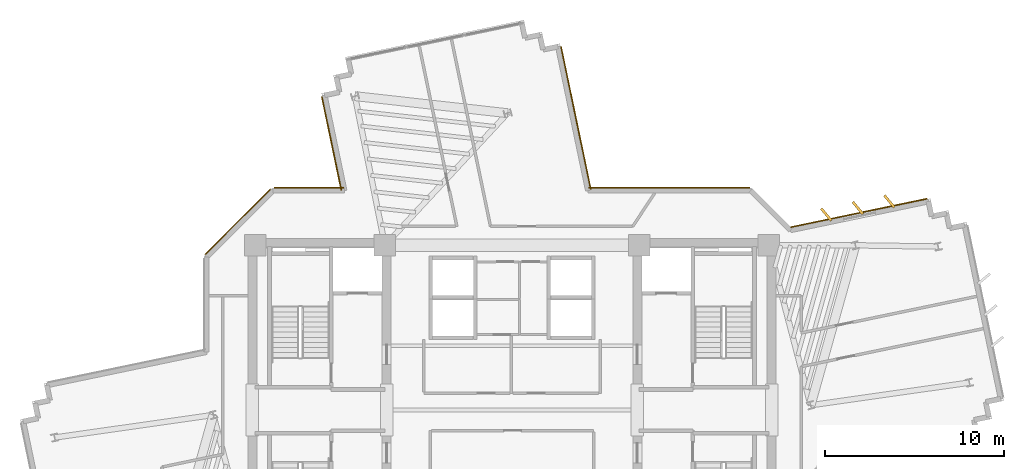
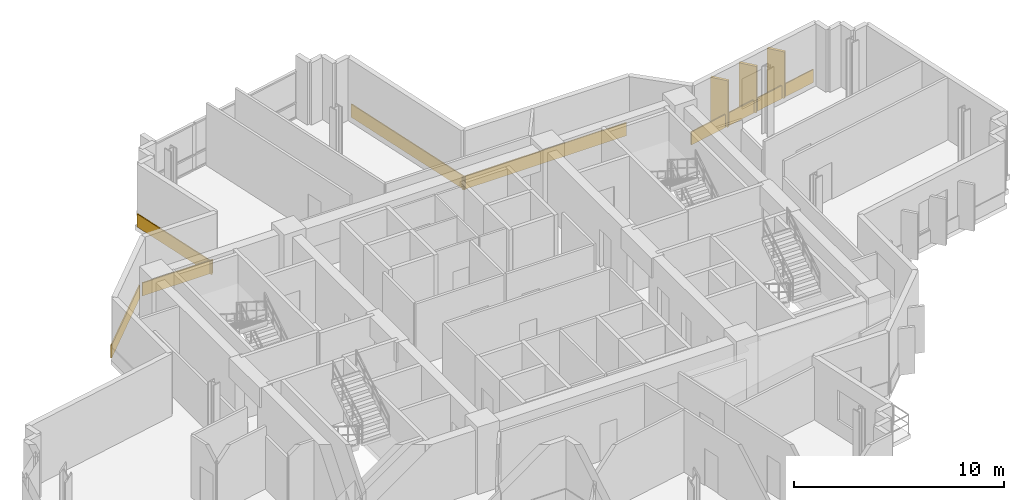
# One storey, part 14 of 14: 9 coverings.
"""IFC4 building model written with IfcOpenShell, lengths in metres."""

import ifcopenshell
import ifcopenshell.guid

model = None  # the IFC model being written
_history = None  # IfcOwnerHistory: only IFC2X3 demands one
_inside = {}  # id of a spatial element -> (the spatial element, [elements in it])
_under = {}  # id of a project, library or spatial element -> (it, [spatial elements below it])
_declared = {}  # id of a project -> (the project, [libraries it declares])
_typed = {}  # id of a type object -> (the type object, [elements of that type])
_made_of = {}  # id of a material, layer set ... -> (it, [elements and type objects made of it])


def new_model(schema):
    """Start an empty IFC model of exactly this schema.

    Asked for "IFC4X3", IfcOpenShell would pick the latest addendum, in which some entities
    have other attributes; the version numbers below select the first issue.
    IFC2X3 requires an IfcOwnerHistory on every rooted entity: one is made here for all.
    """
    global model, _history
    if schema == "IFC4X3":
        model = ifcopenshell.file(schema_version=(4, 3, 0, 0))
    else:
        model = ifcopenshell.file(schema=schema)
    _inside.clear()
    _under.clear()
    _declared.clear()
    _typed.clear()
    _made_of.clear()
    _history = None
    if model.schema == "IFC2X3":
        org = make("IfcOrganization", Name="unknown")
        user = make(
            "IfcPersonAndOrganization",
            ThePerson=make("IfcPerson", FamilyName="unknown"),
            TheOrganization=org,
        )
        app = make(
            "IfcApplication",
            ApplicationDeveloper=org,
            Version="unknown",
            ApplicationFullName="unknown",
            ApplicationIdentifier="unknown",
        )
        _history = make(
            "IfcOwnerHistory",
            OwningUser=user,
            OwningApplication=app,
            ChangeAction="ADDED",
            CreationDate=0,
        )
    return model


def make(cls, **values):
    """One entity of the class cls with the attributes given. An attribute that is None is left unset."""
    return model.create_entity(
        cls, **{name: value for name, value in values.items() if value is not None}
    )


def rooted(cls, **values):
    """An entity with a GlobalId (a new one), such as an element, a storey or a relation."""
    return make(cls, GlobalId=ifcopenshell.guid.new(), OwnerHistory=_history, **values)


def si_unit(unit_type, name, prefix=None):
    """IfcSIUnit, for example si_unit("LENGTHUNIT", "METRE", prefix="MILLI")."""
    return make("IfcSIUnit", UnitType=unit_type, Prefix=prefix, Name=name)


def assignment(units):
    """IfcUnitAssignment: the units of a project."""
    return None if units is None else make("IfcUnitAssignment", Units=units)


def point(xyz):
    """IfcCartesianPoint."""
    return None if xyz is None else make("IfcCartesianPoint", Coordinates=xyz)


def direction(xyz):
    """IfcDirection."""
    return None if xyz is None else make("IfcDirection", DirectionRatios=xyz)


def frame(location, z_axis=None, x_axis=None):
    """IfcAxis2Placement3D, a coordinate frame: its origin and axes. An axis left out is left unset."""
    return make(
        "IfcAxis2Placement3D",
        Location=point(location),
        Axis=direction(z_axis),
        RefDirection=direction(x_axis),
    )


def frame_2d(location, x_axis=None):
    """IfcAxis2Placement2D, a coordinate frame in the plane: its origin and x axis."""
    return make(
        "IfcAxis2Placement2D", Location=point(location), RefDirection=direction(x_axis)
    )


def origin():
    """The frame at (0, 0, 0) with its axes left unset."""
    return frame((0.0, 0.0, 0.0))


def origin_2d():
    """The frame at (0, 0) in the plane with its x axis left unset."""
    return frame_2d((0.0, 0.0))


def place(relative_to, where):
    """IfcLocalPlacement: puts the frame where relative to a parent placement (None: the world)."""
    return make(
        "IfcLocalPlacement", PlacementRelTo=relative_to, RelativePlacement=where
    )


def context(
    kind, dimensions, precision=None, world=None, true_north=None, identifier=None
):
    """IfcGeometricRepresentationContext, for example the 3D "Model" context."""
    return make(
        "IfcGeometricRepresentationContext",
        ContextIdentifier=identifier,
        ContextType=kind,
        CoordinateSpaceDimension=dimensions,
        Precision=precision,
        WorldCoordinateSystem=world,
        TrueNorth=true_north,
    )


def subcontext(parent, identifier, kind, view, scale=None):
    """IfcGeometricRepresentationSubContext, for example "Body" below "Model"."""
    return make(
        "IfcGeometricRepresentationSubContext",
        ContextIdentifier=identifier,
        ContextType=kind,
        ParentContext=parent,
        TargetScale=scale,
        TargetView=view,
    )


def project(units=None, contexts=None):
    """IfcProject with its units and contexts."""
    return rooted(
        "IfcProject",
        Name="project",
        RepresentationContexts=contexts,
        UnitsInContext=assignment(units),
    )


def spatial(cls, under=None, at=None, **own):
    """A site, building, storey or space (cls), placed at a placement, below another one or the project."""
    s = rooted(cls, ObjectPlacement=at, **own)
    if under is not None:
        _under.setdefault(under.id(), (under, []))[1].append(s)
    return s


def profile(cls, at=None, kind="AREA", **sizes):
    """A parametric profile (cls). Its sizes go by their IFC names, for example OverallWidth=200.0."""
    return make(cls, ProfileType=kind, Position=at, **sizes)


def rectangle(**sizes):
    """IfcRectangleProfileDef."""
    return profile("IfcRectangleProfileDef", **sizes)


def extrude(swept, where, along, depth):
    """IfcExtrudedAreaSolid: the profile swept, set in the frame where, extruded along a direction by depth."""
    return make(
        "IfcExtrudedAreaSolid",
        SweptArea=swept,
        Position=where,
        ExtrudedDirection=direction(along),
        Depth=depth,
    )


def shape(context_of_items, identifier, shape_type, items):
    """IfcShapeRepresentation: the items that make up one representation, for example the "Body"."""
    return make(
        "IfcShapeRepresentation",
        ContextOfItems=context_of_items,
        RepresentationIdentifier=identifier,
        RepresentationType=shape_type,
        Items=items,
    )


def source(mapping_origin, context_of_items, identifier, shape_type, items):
    """IfcRepresentationMap: a shape defined once, which mapped items show again and again."""
    return make(
        "IfcRepresentationMap",
        MappingOrigin=mapping_origin,
        MappedRepresentation=shape(context_of_items, identifier, shape_type, items),
    )


def transform(
    local_origin,
    x_axis=None,
    y_axis=None,
    z_axis=None,
    scale=None,
    scale2=None,
    scale3=None,
    uniform=True,
):
    """IfcCartesianTransformationOperator3D, or its non-uniform kind. x_axis, y_axis, z_axis: its Axis1, 2, 3."""
    if uniform:
        return make(
            "IfcCartesianTransformationOperator3D",
            Axis1=direction(x_axis),
            Axis2=direction(y_axis),
            LocalOrigin=point(local_origin),
            Scale=scale,
            Axis3=direction(z_axis),
        )
    return make(
        "IfcCartesianTransformationOperator3DnonUniform",
        Axis1=direction(x_axis),
        Axis2=direction(y_axis),
        LocalOrigin=point(local_origin),
        Scale=scale,
        Axis3=direction(z_axis),
        Scale2=scale2,
        Scale3=scale3,
    )


def mapped(mapping_source, mapping_target):
    """IfcMappedItem: shows the shape of a source again, moved by a transform."""
    return make(
        "IfcMappedItem", MappingSource=mapping_source, MappingTarget=mapping_target
    )


def material(Name=None, Category=None):
    """IfcMaterial."""
    return make("IfcMaterial", Name=Name, Category=Category)


def layer(
    of_material, thickness, ventilated=None, Name=None, Category=None, Priority=None
):
    """IfcMaterialLayer: one layer of a wall or slab, of a material (None: an air gap)."""
    return make(
        "IfcMaterialLayer",
        Material=of_material,
        LayerThickness=thickness,
        IsVentilated=ventilated,
        Name=Name,
        Category=Category,
        Priority=Priority,
    )


def layer_set(layers, Name=None):
    """IfcMaterialLayerSet."""
    return make("IfcMaterialLayerSet", MaterialLayers=layers, LayerSetName=Name)


def made_of(thing, what):
    """Note that an element or type object is made of a material, layer set ...; save() writes the relation."""
    if what is not None:
        _made_of.setdefault(what.id(), (what, []))[1].append(thing)
    return thing


def type_object(cls, material=None, **own):
    """A type object (cls), such as IfcWallType, which elements share."""
    return made_of(rooted(cls, **own), material)


def element(
    cls,
    number,
    at=None,
    inside=None,
    cuts=None,
    type_object=None,
    material=None,
    context=None,
    identifier="Body",
    shape_type=None,
    held_by="IfcProductDefinitionShape",
    body=None,
    shapes=None,
    **own,
):
    """One element of the class cls, such as IfcWall. Its Tag is "e" and its number.

    at: its placement. inside: the storey or other place that contains it. cuts: it is an
    opening in that element (IfcRelVoidsElement). A single representation is given by context,
    identifier, shape_type and body (its items); several are given by shapes. held_by: the class
    of the entity that holds the representations. save() writes the other relations.
    """
    e = rooted(cls, Tag="e%d" % number, ObjectPlacement=at, **own)
    if body is not None:
        shapes = [shape(context, identifier, shape_type, body)]
    if shapes is not None:
        e.Representation = make(held_by, Representations=shapes)
    if inside is not None:
        _inside.setdefault(inside.id(), (inside, []))[1].append(e)
    if cuts is not None:
        rooted(
            "IfcRelVoidsElement", RelatingBuildingElement=cuts, RelatedOpeningElement=e
        )
    if type_object is not None:
        _typed.setdefault(type_object.id(), (type_object, []))[1].append(e)
    return made_of(e, material)


def aggregate(whole, parts):
    """IfcRelAggregates: a whole, such as a stair, and the parts it consists of."""
    return rooted("IfcRelAggregates", RelatingObject=whole, RelatedObjects=parts)


def save(model, path):
    """Write the relations noted so far, then the file.

    IfcRelAggregates (storeys below a building ...), IfcRelContainedInSpatialStructure (elements
    in a storey), IfcRelDefinesByType, IfcRelAssociatesMaterial and IfcRelDeclares: one each for
    every whole, place, type object, material and project.
    """
    for whole, parts in _under.values():
        aggregate(whole, parts)
    for where, things in _inside.values():
        rooted(
            "IfcRelContainedInSpatialStructure",
            RelatedElements=things,
            RelatingStructure=where,
        )
    for kind, things in _typed.values():
        rooted("IfcRelDefinesByType", RelatedObjects=things, RelatingType=kind)
    for what, things in _made_of.values():
        rooted("IfcRelAssociatesMaterial", RelatedObjects=things, RelatingMaterial=what)
    for by, libraries in _declared.values():
        rooted("IfcRelDeclares", RelatingContext=by, RelatedDefinitions=libraries)
    model.write(path)


model = new_model("IFC4")

# Units and contexts
model_context = context("Model", 3, precision=1e-05, world=origin(), true_north=direction((0.0, 1.0)))
body_context = subcontext(model_context, "Body", "Model", "MODEL_VIEW")
ifc_project = project(units=[si_unit("LENGTHUNIT", "METRE"), si_unit("AREAUNIT", "SQUARE_METRE"), si_unit("VOLUMEUNIT", "CUBIC_METRE"), si_unit("PLANEANGLEUNIT", "RADIAN"), si_unit("MASSUNIT", "GRAM", prefix="KILO")], contexts=[model_context])

# Site, building, storey
site_placement = place(None, origin())
site = spatial("IfcSite", under=ifc_project, at=site_placement, CompositionType="ELEMENT")
building_placement = place(site_placement, origin())
building = spatial("IfcBuilding", under=site, at=building_placement, Name="Zahravan Cultural Tower", CompositionType="ELEMENT")
storey_placement = place(building_placement, frame((0.0, 0.0, 162.89990234375)))
storey = spatial("IfcBuildingStorey", under=building, at=storey_placement, Name="L37", CompositionType="ELEMENT", Elevation=162.89990234375)

# Coverings
ifc_material = material(Name="Terracotta ceramic cladding", Category="masonry")
ifc_layer = layer(ifc_material, 0.06005859375)
ifc_layer_set = layer_set([ifc_layer], Name="Terracotta ceramic cladding")
covering_type = type_object("IfcCoveringType", Name="COV-CLAD-TC60", PredefinedType="CLADDING", material=ifc_layer_set)
shared_shape_1 = source(origin(), body_context, "Body", "SweptSolid", [
    extrude(rectangle(XDim=5.157958984375, YDim=0.06005859375, at=origin_2d()), origin(), (0.0, 0.0, 1.0), 0.760009765625),
])
covering_1_placement = place(storey_placement, frame((20.682373046875, 37.517578125, 0.02001953125), z_axis=(0.0, 0.0, 1.0), x_axis=(0.707106781187, 0.707106781187, 0.0)))
element("IfcCovering", 1, at=covering_1_placement, inside=storey, type_object=covering_type, Name="L37 Terracotta Spandrel Cladding 39", PredefinedType="CLADDING", context=body_context, shape_type="MappedRepresentation", body=[
    mapped(shared_shape_1, transform((0.0, 0.0, 0.0), x_axis=(1.0, 0.0, 0.0), y_axis=(0.0, 1.0, 0.0), z_axis=(0.0, 0.0, 1.0), scale=1.0)),
])
shared_shape_2 = source(origin(), body_context, "Body", "SweptSolid", [
    extrude(rectangle(XDim=0.8798828125, YDim=0.139892578125, at=origin_2d()), origin(), (0.0, 0.0, 1.0), 2.699951171875),
])
for number, where, z_axis, x_axis, name in (
    (2, (53.55859375, 37.9248046875, 0.05029296875), (0.0, 0.0, 1.0), (-0.639841478951, 0.768506917219, 0.0), "L37 Herringbone Terracotta Fin 01"),
    (3, (55.32080078125, 38.292236328125, 0.05029296875), (0.0, 0.0, 1.0), (-0.639841478951, 0.768506917219, 0.0), "L37 Herringbone Terracotta Fin 02"),
    (4, (57.082763671875, 38.659912109375, 0.05029296875), (0.0, 0.0, 1.0), (-0.639841478951, 0.768506917219, 0.0), "L37 Herringbone Terracotta Fin 03"),
):
    element("IfcCovering", number, at=place(storey_placement, frame(where, z_axis=z_axis, x_axis=x_axis)), inside=storey, type_object=covering_type, Name=name, PredefinedType="CLADDING", context=body_context, shape_type="MappedRepresentation", body=[
        mapped(shared_shape_2, transform((0.0, 0.0, 0.0), x_axis=(1.0, 0.0, 0.0), y_axis=(0.0, 1.0, 0.0), z_axis=(0.0, 0.0, 1.0), scale=1.0)),
    ])
shared_shape_3 = source(origin(), body_context, "Body", "SweptSolid", [
    extrude(rectangle(XDim=7.781494140625, YDim=0.06005859375, at=origin_2d()), origin(), (0.0, 0.0, 1.0), 0.760009765625),
])
covering_2_placement = place(storey_placement, frame((55.37890625, 38.01318359375, 0.02001953125), z_axis=(0.0, 0.0, 1.0), x_axis=(0.978938711712, 0.204154350213, 0.0)))
element("IfcCovering", 5, at=covering_2_placement, inside=storey, type_object=covering_type, Name="L37 Terracotta Spandrel Cladding 01", PredefinedType="CLADDING", context=body_context, shape_type="MappedRepresentation", body=[
    mapped(shared_shape_3, transform((0.0, 0.0, 0.0), x_axis=(1.0, 0.0, 0.0), y_axis=(0.0, 1.0, 0.0), z_axis=(0.0, 0.0, 1.0), scale=1.0)),
])
shared_shape_4 = source(origin(), body_context, "Body", "SweptSolid", [
    extrude(rectangle(XDim=3.8818359375, YDim=0.06005859375, at=origin_2d()), origin(), (0.0, 0.0, 1.0), 0.760009765625),
])
covering_3_placement = place(storey_placement, frame((24.64892578125, 39.425048828125, 0.02001953125), z_axis=(0.0, 0.0, 1.0), x_axis=(1.0, 0.0, 0.0)))
element("IfcCovering", 6, at=covering_3_placement, inside=storey, type_object=covering_type, Name="L37 Terracotta Spandrel Cladding 40", PredefinedType="CLADDING", context=body_context, shape_type="MappedRepresentation", body=[
    mapped(shared_shape_4, transform((0.0, 0.0, 0.0), x_axis=(1.0, 0.0, 0.0), y_axis=(0.0, 1.0, 0.0), z_axis=(0.0, 0.0, 1.0), scale=1.0)),
])
shared_shape_5 = source(origin(), body_context, "Body", "SweptSolid", [
    extrude(rectangle(XDim=5.347412109375, YDim=0.06005859375, at=origin_2d()), origin(), (0.0, 0.0, 1.0), 0.760009765625),
])
covering_4_placement = place(storey_placement, frame((25.92236328125, 41.892578125, 0.02001953125), z_axis=(0.0, 0.0, 1.0), x_axis=(-0.204154350213, 0.978938711712, 0.0)))
element("IfcCovering", 7, at=covering_4_placement, inside=storey, type_object=covering_type, Name="L37 Terracotta Spandrel Cladding 41", PredefinedType="CLADDING", context=body_context, shape_type="MappedRepresentation", body=[
    mapped(shared_shape_5, transform((0.0, 0.0, 0.0), x_axis=(1.0, 0.0, 0.0), y_axis=(0.0, 1.0, 0.0), z_axis=(0.0, 0.0, 1.0), scale=1.0)),
])
shared_shape_6 = source(origin(), body_context, "Body", "SweptSolid", [
    extrude(rectangle(XDim=8.125244140625, YDim=0.06005859375, at=origin_2d()), origin(), (0.0, 0.0, 1.0), 0.760009765625),
])
covering_5_placement = place(storey_placement, frame((39.568359375, 43.319580078125, 0.02001953125), z_axis=(0.0, 0.0, 1.0), x_axis=(0.204154350213, -0.978938711712, 0.0)))
element("IfcCovering", 8, at=covering_5_placement, inside=storey, type_object=covering_type, Name="L37 Terracotta Spandrel Cladding 50", PredefinedType="CLADDING", context=body_context, shape_type="MappedRepresentation", body=[
    mapped(shared_shape_6, transform((0.0, 0.0, 0.0), x_axis=(1.0, 0.0, 0.0), y_axis=(0.0, 1.0, 0.0), z_axis=(0.0, 0.0, 1.0), scale=1.0)),
])
shared_shape_7 = source(origin(), body_context, "Body", "SweptSolid", [
    extrude(rectangle(XDim=8.99560546875, YDim=0.06005859375, at=origin_2d()), origin(), (0.0, 0.0, 1.0), 0.760009765625),
])
covering_6_placement = place(storey_placement, frame((44.794189453125, 39.425048828125, 0.02001953125), z_axis=(0.0, 0.0, 1.0), x_axis=(1.0, 0.0, 0.0)))
element("IfcCovering", 9, at=covering_6_placement, inside=storey, type_object=covering_type, Name="L37 Terracotta Spandrel Cladding 51", PredefinedType="CLADDING", context=body_context, shape_type="MappedRepresentation", body=[
    mapped(shared_shape_7, transform((0.0, 0.0, 0.0), x_axis=(1.0, 0.0, 0.0), y_axis=(0.0, 1.0, 0.0), z_axis=(0.0, 0.0, 1.0), scale=1.0)),
])

save(model, "model.ifc")
